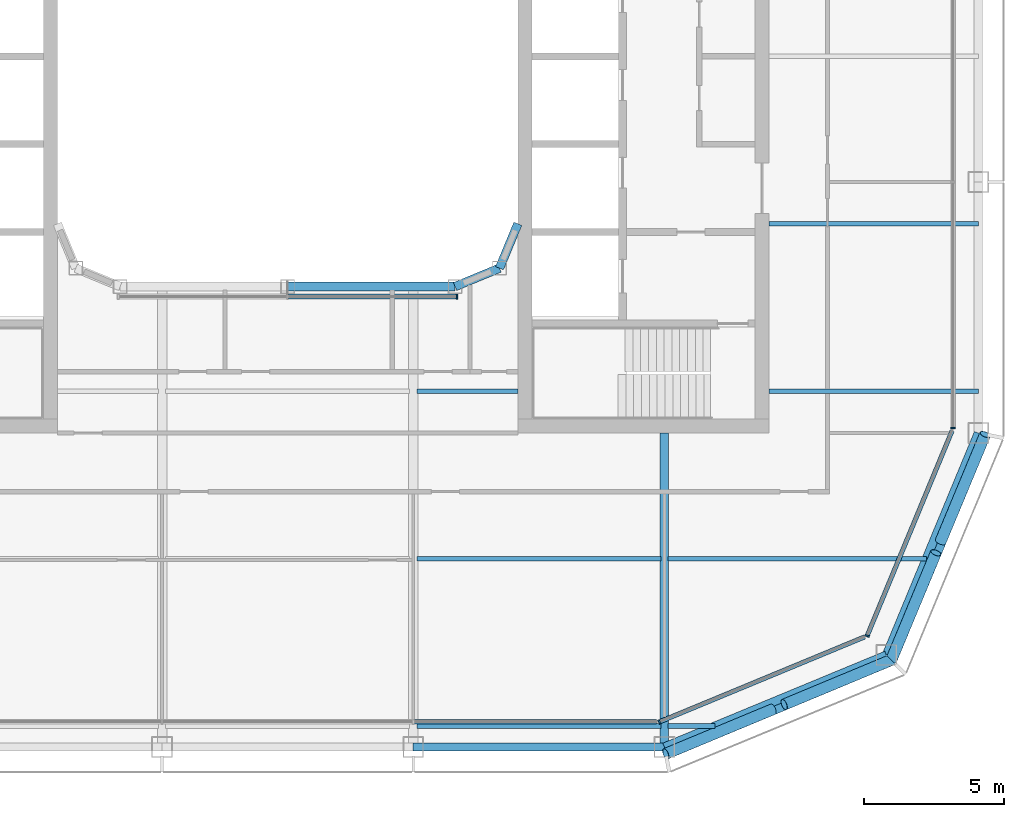
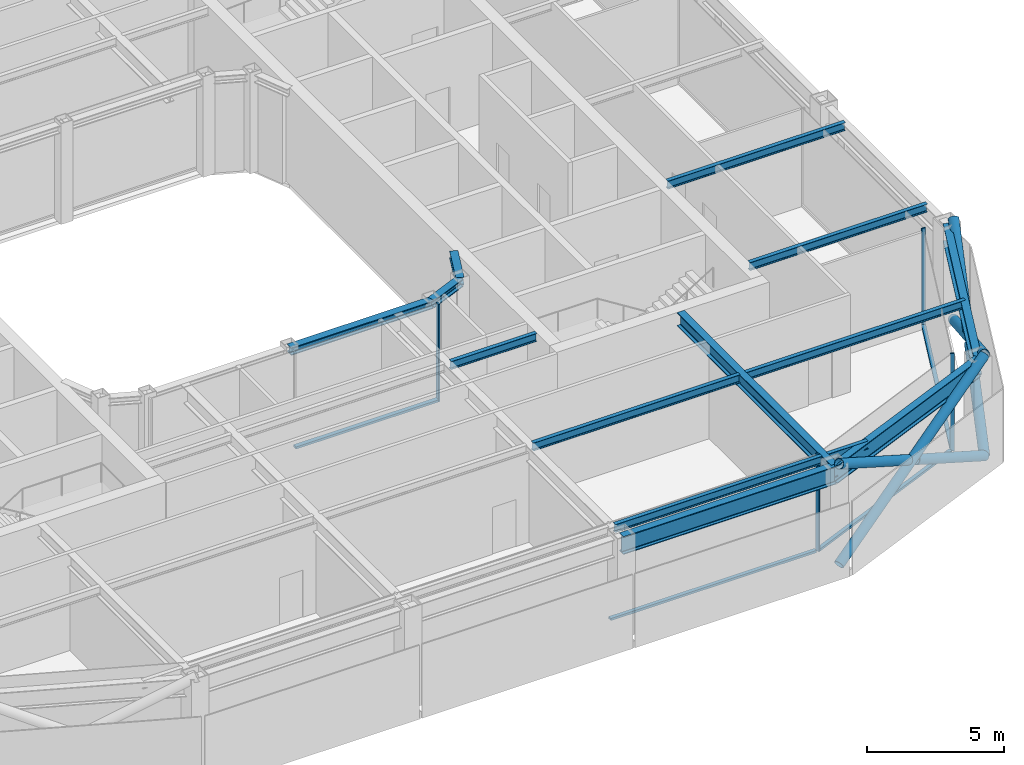
# One storey, part 4 of 21: 14 beams, 14 members, 5 elements without a shape of their own.
"""IFC4 building model written with IfcOpenShell, lengths in metres."""

from ifc_helpers import new_model, si_unit, direction, frame, origin, origin_2d, place, context, subcontext, project, spatial, rectangle, hollow_circle, i_section, extrude, material, layer, layer_set, material_profile, profile_set, type_object, element, aggregate, save


model = new_model("IFC4")

# Units and contexts
model_context = context("Model", 3, precision=1e-05, world=origin(), true_north=direction((0.0, 1.0)))
body_context = subcontext(model_context, "Body", "Model", "MODEL_VIEW")
ifc_project = project(units=[si_unit("LENGTHUNIT", "METRE"), si_unit("AREAUNIT", "SQUARE_METRE"), si_unit("VOLUMEUNIT", "CUBIC_METRE"), si_unit("PLANEANGLEUNIT", "RADIAN"), si_unit("MASSUNIT", "GRAM", prefix="KILO")], contexts=[model_context])

# Site, building, storey
site_placement = place(None, origin())
site = spatial("IfcSite", under=ifc_project, at=site_placement, CompositionType="ELEMENT")
building_placement = place(site_placement, origin())
building = spatial("IfcBuilding", under=site, at=building_placement, Name="Siwar Civic Tower", CompositionType="ELEMENT")
storey_placement = place(building_placement, frame((0.0, 0.0, 312.199951171875)))
storey = spatial("IfcBuildingStorey", under=building, at=storey_placement, Name="L67", CompositionType="ELEMENT", Elevation=312.199951171875)

# Curtain wall, member
ifc_material_1 = material(Name="Aluminium clad insulated panel", Category="aluminium")
ifc_layer_1 = layer(ifc_material_1, 0.159912109375)
ifc_layer_set_1 = layer_set([ifc_layer_1], Name="Aluminium clad insulated panel")
curtain_wall_type_1 = type_object("IfcCurtainWallType", Name="ENV-CW-DX", PredefinedType="NOTDEFINED", material=ifc_layer_set_1)
curtain_wall_1_placement = place(storey_placement, origin())
curtain_wall_1 = element("IfcCurtainWall", 1, at=curtain_wall_1_placement, inside=storey, type_object=curtain_wall_type_1, Name="Curtain wall D SE1", PredefinedType="NOTDEFINED")
ifc_material_2 = material(Name="Aluminium 6063-T6", Category="aluminium")
ifc_material_profile_1 = material_profile(ifc_material_2, rectangle(XDim=0.159912109375, YDim=0.06005859375, at=origin_2d()), Name="AL 160x60")
ifc_profile_set_1 = profile_set([ifc_material_profile_1], Name="Aluminium 6063-T6")
member_type_1 = type_object("IfcMemberType", Name="ENV-MULLION-D", PredefinedType="MULLION", material=ifc_profile_set_1)
member_1_placement = place(storey_placement, frame((13.321044921875, -23.85009765625, 0.0), z_axis=(0.0, 0.0, 1.0), x_axis=(-0.382683432365, 0.923879532511, 0.0)))
member_1 = element("IfcMember", 2, at=member_1_placement, type_object=member_type_1, Name="Mullion D SE1 1", PredefinedType="MULLION", context=body_context, shape_type="SweptSolid", body=[
    extrude(rectangle(XDim=0.159912109375, YDim=0.06005859375, at=origin_2d()), origin(), (0.0, 0.0, 1.0), 4.35009765625),
])

curtain_wall_2_placement = place(storey_placement, origin())
curtain_wall_2 = element("IfcCurtainWall", 3, at=curtain_wall_2_placement, inside=storey, type_object=curtain_wall_type_1, Name="Curtain wall D SE2", PredefinedType="NOTDEFINED")
member_2_placement = place(storey_placement, frame((20.76611328125, -20.76611328125, 0.0), z_axis=(0.0, 0.0, 1.0), x_axis=(-0.923879532511, 0.382683432365, 0.0)))
member_2 = element("IfcMember", 4, at=member_2_placement, type_object=member_type_1, Name="Mullion D SE2 1", PredefinedType="MULLION", context=body_context, shape_type="SweptSolid", body=[
    extrude(rectangle(XDim=0.159912109375, YDim=0.06005859375, at=origin_2d()), origin(), (0.0, 0.0, 1.0), 4.35009765625),
])

ifc_material_3 = material(Name="Aluminium and glass", Category="aluminium")
ifc_layer_2 = layer(ifc_material_3, 0.159912109375)
ifc_layer_set_2 = layer_set([ifc_layer_2], Name="Aluminium and glass")
curtain_wall_type_2 = type_object("IfcCurtainWallType", Name="ENV-CW-D", PredefinedType="NOTDEFINED", material=ifc_layer_set_2)
curtain_wall_3_placement = place(storey_placement, origin())
curtain_wall_3 = element("IfcCurtainWall", 5, at=curtain_wall_3_placement, inside=storey, type_object=curtain_wall_type_2, Name="Curtain wall D E", PredefinedType="NOTDEFINED")
member_3_placement = place(storey_placement, frame((23.85009765625, -13.321044921875, 0.0), z_axis=(0.0, 0.0, 1.0), x_axis=(-1.0, 0.0, 0.0)))
member_3 = element("IfcMember", 6, at=member_3_placement, type_object=member_type_1, Name="Mullion D E 1", PredefinedType="MULLION", context=body_context, shape_type="SweptSolid", body=[
    extrude(rectangle(XDim=0.159912109375, YDim=0.06005859375, at=origin_2d()), origin(), (0.0, 0.0, 1.0), 4.35009765625),
])
aggregate(curtain_wall_3, [member_3])

ifc_material_4 = material(Name="Aluminium and glass", Category="aluminium")
ifc_layer_3 = layer(ifc_material_4, 0.179931640625)
ifc_layer_set_3 = layer_set([ifc_layer_3], Name="Aluminium and glass")
curtain_wall_type_3 = type_object("IfcCurtainWallType", Name="ENV-CW-W", PredefinedType="NOTDEFINED", material=ifc_layer_set_3)
curtain_wall_4_placement = place(storey_placement, origin())
curtain_wall_4 = element("IfcCurtainWall", 7, at=curtain_wall_4_placement, inside=storey, type_object=curtain_wall_type_3, Name="Curtain wall W WS", PredefinedType="NOTDEFINED")
ifc_material_5 = material(Name="Aluminium 6063-T6", Category="aluminium")
ifc_material_profile_2 = material_profile(ifc_material_5, rectangle(XDim=0.179931640625, YDim=0.06005859375, at=origin_2d()), Name="AL 180x60")
ifc_profile_set_2 = profile_set([ifc_material_profile_2], Name="Aluminium 6063-T6")
member_type_2 = type_object("IfcMemberType", Name="ENV-MULLION-W", PredefinedType="MULLION", material=ifc_profile_set_2)
member_4_placement = place(storey_placement, frame((6.071533203125, -8.610107421875, 0.0), z_axis=(0.0, 0.0, 1.0), x_axis=(0.0, 1.0, 0.0)))
member_4 = element("IfcMember", 8, at=member_4_placement, type_object=member_type_2, Name="Mullion W WS 3", PredefinedType="MULLION", context=body_context, shape_type="SweptSolid", body=[
    extrude(rectangle(XDim=0.179931640625, YDim=0.06005859375, at=origin_2d()), origin(), (0.0, 0.0, 1.0), 4.35009765625),
])

curtain_wall_5_placement = place(storey_placement, origin())
curtain_wall_5 = element("IfcCurtainWall", 9, at=curtain_wall_5_placement, inside=storey, type_object=curtain_wall_type_2, Name="Curtain wall D S", PredefinedType="NOTDEFINED")
ifc_material_6 = material(Name="Aluminium 6063-T6", Category="aluminium")
ifc_material_profile_3 = material_profile(ifc_material_6, rectangle(XDim=0.159912109375, YDim=0.10009765625, at=origin_2d()), Name="AL 160x100")
ifc_profile_set_3 = profile_set([ifc_material_profile_3], Name="Aluminium 6063-T6")
member_type_3 = type_object("IfcMemberType", Name="ENV-TRANSOM-D", PredefinedType="USERDEFINED", material=ifc_profile_set_3)
member_5_placement = place(storey_placement, frame((4.530029296875, -23.85009765625, 0.050048828125), z_axis=(1.0, 0.0, 0.0), x_axis=(0.0, 1.0, 0.0)))
member_5 = element("IfcMember", 10, at=member_5_placement, type_object=member_type_3, Name="Transom D S 3", ObjectType="TRANSOM", PredefinedType="USERDEFINED", context=body_context, shape_type="SweptSolid", body=[
    extrude(rectangle(XDim=0.159912109375, YDim=0.10009765625, at=origin_2d()), origin(), (0.0, 0.0, 1.0), 8.693115234375),
])
aggregate(curtain_wall_5, [member_5])

# Member
member_6_placement = place(storey_placement, frame((13.3486328125, -23.838623046875, 0.050048828125), z_axis=(0.923872756612, 0.382699790424, 0.0), x_axis=(-0.382699790424, 0.923872756612, 0.0)))
member_6 = element("IfcMember", 11, at=member_6_placement, type_object=member_type_3, Name="Transom D SE1 1", ObjectType="TRANSOM", PredefinedType="USERDEFINED", context=body_context, shape_type="SweptSolid", body=[
    extrude(rectangle(XDim=0.159912109375, YDim=0.10009765625, at=origin_2d()), origin(), (0.0, 0.0, 1.0), 7.930908203125),
])

aggregate(curtain_wall_1, [member_1, member_6])

member_7_placement = place(storey_placement, frame((20.777587890625, -20.738525390625, 0.050048828125), z_axis=(0.382673515031, 0.923883640343, 0.0), x_axis=(-0.923883640343, 0.382673515031, 0.0)))
member_7 = element("IfcMember", 12, at=member_7_placement, type_object=member_type_3, Name="Transom D SE2 1", ObjectType="TRANSOM", PredefinedType="USERDEFINED", context=body_context, shape_type="SweptSolid", body=[
    extrude(rectangle(XDim=0.159912109375, YDim=0.10009765625, at=origin_2d()), origin(), (0.0, 0.0, 1.0), 7.930908203125),
])

aggregate(curtain_wall_2, [member_2, member_7])

ifc_material_7 = material(Name="Aluminium 6063-T6", Category="aluminium")
ifc_material_profile_4 = material_profile(ifc_material_7, rectangle(XDim=0.179931640625, YDim=0.10009765625, at=origin_2d()), Name="AL 180x100")
ifc_profile_set_4 = profile_set([ifc_material_profile_4], Name="Aluminium 6063-T6")
member_type_4 = type_object("IfcMemberType", Name="ENV-TRANSOM-W", PredefinedType="USERDEFINED", material=ifc_profile_set_4)
member_8_placement = place(storey_placement, frame((0.030029296875, -8.610107421875, 0.050048828125), z_axis=(1.0, 0.0, 0.0), x_axis=(0.0, 1.0, 0.0)))
member_8 = element("IfcMember", 13, at=member_8_placement, type_object=member_type_4, Name="Transom W WS 2", ObjectType="TRANSOM", PredefinedType="USERDEFINED", context=body_context, shape_type="SweptSolid", body=[
    extrude(rectangle(XDim=0.179931640625, YDim=0.10009765625, at=origin_2d()), origin(), (0.0, 0.0, 1.0), 6.011474609375),
])

aggregate(curtain_wall_4, [member_4, member_8])

# Members
ifc_material_8 = material(Name="Steel S355", Category="steel")
ifc_material_profile_5 = material_profile(ifc_material_8, hollow_circle(Radius=0.203125, WallThickness=0.01611328125, at=origin_2d()), Name="CHS406.4x16")
ifc_profile_set_5 = profile_set([ifc_material_profile_5], Name="Steel S355")
member_type_5 = type_object("IfcMemberType", Name="STR-BR-CHS406.4x16", PredefinedType="BRACE", material=ifc_profile_set_5)
member_9_placement = place(storey_placement, frame((24.9951171875, -13.548828125, 0.0), z_axis=(-0.341671493852, -0.821142553604, 0.457149315816), x_axis=(0.923264922524, -0.384163874976, 0.0)))
element("IfcMember", 14, at=member_9_placement, inside=storey, type_object=member_type_5, Name="L67/brc/DSE1-6-0-1", PredefinedType="BRACE", context=body_context, shape_type="SweptSolid", body=[
    extrude(hollow_circle(Radius=0.203125, WallThickness=0.01611328125, at=origin_2d()), origin(), (0.0, 0.0, 1.0), 9.843505859375),
])
member_10_placement = place(storey_placement, frame((21.6318359375, -21.6318359375, 0.0), z_axis=(0.341644380467, 0.821147096886, 0.457161418507), x_axis=(-0.923276488787, 0.38413607648, 0.0)))
element("IfcMember", 15, at=member_10_placement, inside=storey, type_object=member_type_5, Name="L67/brc/DSE1-6-0-2", PredefinedType="BRACE", context=body_context, shape_type="SweptSolid", body=[
    extrude(hollow_circle(Radius=0.203125, WallThickness=0.01611328125, at=origin_2d()), origin(), (0.0, 0.0, 1.0), 4.677001953125),
])
member_11_placement = place(storey_placement, frame((23.397216796875, -17.38916015625, 2.362060546875), z_axis=(0.341667178655, 0.821149689876, 0.457139722456), x_axis=(-0.923267827529, 0.384156893273, 0.0)))
element("IfcMember", 16, at=member_11_placement, inside=storey, type_object=member_type_5, Name="L67/brc/DSE1-6-0-3", PredefinedType="BRACE", context=body_context, shape_type="SweptSolid", body=[
    extrude(hollow_circle(Radius=0.203125, WallThickness=0.01611328125, at=origin_2d()), origin(), (0.0, 0.0, 1.0), 4.6767578125),
])
member_12_placement = place(storey_placement, frame((13.548828125, -24.9951171875, 0.0), z_axis=(0.821142553604, 0.341671493852, 0.457149315816), x_axis=(-0.384163874976, 0.923264922524, 0.0)))
element("IfcMember", 17, at=member_12_placement, inside=storey, type_object=member_type_5, Name="L67/brc/DSE1-6-0-0", PredefinedType="BRACE", context=body_context, shape_type="SweptSolid", body=[
    extrude(hollow_circle(Radius=0.203125, WallThickness=0.01611328125, at=origin_2d()), origin(), (0.0, 0.0, 1.0), 9.843505859375),
])
member_13_placement = place(storey_placement, frame((21.6318359375, -21.6318359375, 0.0), z_axis=(-0.821147096886, -0.341644380467, 0.457161418507), x_axis=(0.38413607648, -0.923276488787, 0.0)))
element("IfcMember", 18, at=member_13_placement, inside=storey, type_object=member_type_5, Name="L67/brc/DSE1-6-0-4", PredefinedType="BRACE", context=body_context, shape_type="SweptSolid", body=[
    extrude(hollow_circle(Radius=0.203125, WallThickness=0.01611328125, at=origin_2d()), origin(), (0.0, 0.0, 1.0), 4.677001953125),
])
member_14_placement = place(storey_placement, frame((17.38916015625, -23.397216796875, 2.362060546875), z_axis=(-0.821149689876, -0.341667178655, 0.457139722456), x_axis=(0.384156893273, -0.923267827529, 0.0)))
element("IfcMember", 19, at=member_14_placement, inside=storey, type_object=member_type_5, Name="L67/brc/DSE1-6-0-5", PredefinedType="BRACE", context=body_context, shape_type="SweptSolid", body=[
    extrude(hollow_circle(Radius=0.203125, WallThickness=0.01611328125, at=origin_2d()), origin(), (0.0, 0.0, 1.0), 4.6767578125),
])

# Beams
ifc_material_9 = material(Name="Steel S355", Category="steel")
ifc_material_profile_6 = material_profile(ifc_material_9, i_section(OverallWidth=0.169921875, OverallDepth=0.360107421875, WebThickness=0.008056640625, FlangeThickness=0.0126953125, FilletRadius=0.01806640625, at=origin_2d()), Name="IPE360")
ifc_profile_set_6 = profile_set([ifc_material_profile_6], Name="Steel S355")
beam_type_1 = type_object("IfcBeamType", Name="STR-FB-IPE360", PredefinedType="JOIST", material=ifc_profile_set_6)
beam_1_placement = place(storey_placement, frame((4.6298828125, -24.0, 4.170166015625), z_axis=(1.0, 0.0, 0.0), x_axis=(0.0, 1.0, 0.0)))
element("IfcBeam", 20, at=beam_1_placement, inside=storey, type_object=beam_type_1, Name="L67/bm/F004", PredefinedType="JOIST", context=body_context, shape_type="SweptSolid", body=[
    extrude(i_section(OverallWidth=0.169921875, OverallDepth=0.360107421875, WebThickness=0.008056640625, FlangeThickness=0.0126953125, FilletRadius=0.01806640625, at=origin_2d()), origin(), (0.0, 0.0, 1.0), 8.740234375),
])
beam_2_placement = place(storey_placement, frame((13.6298828125, -24.0, 4.170166015625), z_axis=(1.0, 0.0, 0.0), x_axis=(0.0, 1.0, 0.0)))
element("IfcBeam", 21, at=beam_2_placement, inside=storey, type_object=beam_type_1, Name="L67/bm/F005", PredefinedType="JOIST", context=body_context, shape_type="SweptSolid", body=[
    extrude(i_section(OverallWidth=0.169921875, OverallDepth=0.360107421875, WebThickness=0.008056640625, FlangeThickness=0.0126953125, FilletRadius=0.01806640625, at=origin_2d()), origin(), (0.0, 0.0, 1.0), 1.6806640625),
])
beam_3_placement = place(storey_placement, frame((4.6298828125, -18.0, 4.170166015625), z_axis=(1.0, 0.0, 0.0), x_axis=(0.0, 1.0, 0.0)))
element("IfcBeam", 22, at=beam_3_placement, inside=storey, type_object=beam_type_1, Name="L67/bm/F009", PredefinedType="JOIST", context=body_context, shape_type="SweptSolid", body=[
    extrude(i_section(OverallWidth=0.169921875, OverallDepth=0.360107421875, WebThickness=0.008056640625, FlangeThickness=0.0126953125, FilletRadius=0.01806640625, at=origin_2d()), origin(), (0.0, 0.0, 1.0), 8.740234375),
])
beam_4_placement = place(storey_placement, frame((13.6298828125, -18.0, 4.170166015625), z_axis=(1.0, 0.0, 0.0), x_axis=(0.0, 1.0, 0.0)))
element("IfcBeam", 23, at=beam_4_placement, inside=storey, type_object=beam_type_1, Name="L67/bm/F010", PredefinedType="JOIST", context=body_context, shape_type="SweptSolid", body=[
    extrude(i_section(OverallWidth=0.169921875, OverallDepth=0.360107421875, WebThickness=0.008056640625, FlangeThickness=0.0126953125, FilletRadius=0.01806640625, at=origin_2d()), origin(), (0.0, 0.0, 1.0), 9.256103515625),
])
beam_5_placement = place(storey_placement, frame((4.6298828125, -12.0, 4.170166015625), z_axis=(1.0, 0.0, 0.0), x_axis=(0.0, 1.0, 0.0)))
element("IfcBeam", 24, at=beam_5_placement, inside=storey, type_object=beam_type_1, Name="L67/bm/F014", PredefinedType="JOIST", context=body_context, shape_type="SweptSolid", body=[
    extrude(i_section(OverallWidth=0.169921875, OverallDepth=0.360107421875, WebThickness=0.008056640625, FlangeThickness=0.0126953125, FilletRadius=0.01806640625, at=origin_2d()), origin(), (0.0, 0.0, 1.0), 3.6201171875),
])
for number, where, z_axis, x_axis, name in (
    (25, (17.25, -12.0, 4.170166015625), (1.0, 0.0, 0.0), (0.0, 1.0, 0.0), "L67/bm/F015"),
    (26, (17.25, -6.0, 4.170166015625), (1.0, 0.0, 0.0), (0.0, 1.0, 0.0), "L67/bm/F017"),
):
    element("IfcBeam", number, at=place(storey_placement, frame(where, z_axis=z_axis, x_axis=x_axis)), inside=storey, type_object=beam_type_1, Name=name, PredefinedType="JOIST", context=body_context, shape_type="SweptSolid", body=[
        extrude(i_section(OverallWidth=0.169921875, OverallDepth=0.360107421875, WebThickness=0.008056640625, FlangeThickness=0.0126953125, FilletRadius=0.01806640625, at=origin_2d()), origin(), (0.0, 0.0, 1.0), 7.5),
    ])
ifc_material_10 = material(Name="Steel S355", Category="steel")
ifc_material_profile_7 = material_profile(ifc_material_10, i_section(OverallWidth=0.300048828125, OverallDepth=0.60009765625, WebThickness=0.015380859375, FlangeThickness=0.030029296875, FilletRadius=0.027099609375, at=origin_2d()), Name="HEB600")
ifc_profile_set_7 = profile_set([ifc_material_profile_7], Name="Steel S355")
beam_type_2 = type_object("IfcBeamType", Name="STR-PG-HEB600", PredefinedType="BEAM", material=ifc_profile_set_7)
beam_6_placement = place(storey_placement, frame((13.5, -24.75, 4.050048828125), z_axis=(0.0, 1.0, 0.0), x_axis=(-1.0, 0.0, 0.0)))
element("IfcBeam", 27, at=beam_6_placement, inside=storey, type_object=beam_type_2, Name="L67/bm/G07", PredefinedType="BEAM", context=body_context, shape_type="SweptSolid", body=[
    extrude(i_section(OverallWidth=0.300048828125, OverallDepth=0.60009765625, WebThickness=0.015380859375, FlangeThickness=0.030029296875, FilletRadius=0.027099609375, at=origin_2d()), origin(), (0.0, 0.0, 1.0), 11.25),
])
ifc_material_11 = material(Name="Steel S355", Category="steel")
ifc_material_profile_8 = material_profile(ifc_material_11, i_section(OverallWidth=0.31005859375, OverallDepth=0.340087890625, WebThickness=0.02099609375, FlangeThickness=0.0390625, FilletRadius=0.027099609375, at=origin_2d()), Name="HEM300")
ifc_profile_set_8 = profile_set([ifc_material_profile_8], Name="Steel S355")
beam_type_3 = type_object("IfcBeamType", Name="STR-RB-HEM300", PredefinedType="BEAM", material=ifc_profile_set_8)
beam_7_placement = place(storey_placement, frame((0.0, -8.25, 4.179931640625), z_axis=(1.0, 0.0, 0.0), x_axis=(0.0, 1.0, 0.0)))
element("IfcBeam", 28, at=beam_7_placement, inside=storey, type_object=beam_type_3, Name="L67/bm/RS2", PredefinedType="BEAM", context=body_context, shape_type="SweptSolid", body=[
    extrude(i_section(OverallWidth=0.31005859375, OverallDepth=0.340087890625, WebThickness=0.02099609375, FlangeThickness=0.0390625, FilletRadius=0.027099609375, at=origin_2d()), origin(), (0.0, 0.0, 1.0), 6.0),
])
for number, where, z_axis, x_axis, name in (
    (29, (6.0, -8.25, 4.179931640625), (0.923901072997, 0.382631424892, 0.0), (-0.382631424892, 0.923901072997, 0.0), "L67/bm/RS3"),
    (30, (7.591064453125, -7.591064453125, 4.179931640625), (0.382631424892, 0.923901072997, 0.0), (-0.923901072997, 0.382631424892, 0.0), "L67/bm/RSEE"),
):
    element("IfcBeam", number, at=place(storey_placement, frame(where, z_axis=z_axis, x_axis=x_axis)), inside=storey, type_object=beam_type_3, Name=name, PredefinedType="BEAM", context=body_context, shape_type="SweptSolid", body=[
        extrude(i_section(OverallWidth=0.31005859375, OverallDepth=0.340087890625, WebThickness=0.02099609375, FlangeThickness=0.0390625, FilletRadius=0.027099609375, at=origin_2d()), origin(), (0.0, 0.0, 1.0), 1.72216796875),
    ])
ifc_material_12 = material(Name="Steel S355", Category="steel")
ifc_material_profile_9 = material_profile(ifc_material_12, i_section(OverallWidth=0.300048828125, OverallDepth=0.800048828125, WebThickness=0.017578125, FlangeThickness=0.032958984375, FilletRadius=0.030029296875, at=origin_2d()), Name="HEB800")
ifc_profile_set_9 = profile_set([ifc_material_profile_9], Name="Steel S355")
beam_type_4 = type_object("IfcBeamType", Name="STR-SB-HEB800", PredefinedType="BEAM", material=ifc_profile_set_9)
beam_8_placement = place(storey_placement, frame((4.5, -24.75, 3.949951171875), z_axis=(1.0, 0.0, 0.0), x_axis=(0.0, 1.0, 0.0)))
element("IfcBeam", 31, at=beam_8_placement, inside=storey, type_object=beam_type_4, Name="L67/bm/SS-2", PredefinedType="BEAM", context=body_context, shape_type="SweptSolid", body=[
    extrude(i_section(OverallWidth=0.300048828125, OverallDepth=0.800048828125, WebThickness=0.017578125, FlangeThickness=0.032958984375, FilletRadius=0.030029296875, at=origin_2d()), origin(), (0.0, 0.0, 1.0), 9.0),
])
for number, where, z_axis, x_axis, name in (
    (32, (13.5, -24.75, 3.949951171875), (0.923872720536, 0.382699877515, 0.0), (-0.382699877515, 0.923872720536, 0.0), "L67/bm/SSE1-0"),
    (33, (21.454833984375, -21.454833984375, 3.949951171875), (0.382699877515, 0.923872720536, 0.0), (-0.923872720536, 0.382699877515, 0.0), "L67/bm/SSE2-0"),
):
    element("IfcBeam", number, at=place(storey_placement, frame(where, z_axis=z_axis, x_axis=x_axis)), inside=storey, type_object=beam_type_4, Name=name, PredefinedType="BEAM", context=body_context, shape_type="SweptSolid", body=[
        extrude(i_section(OverallWidth=0.300048828125, OverallDepth=0.800048828125, WebThickness=0.017578125, FlangeThickness=0.032958984375, FilletRadius=0.030029296875, at=origin_2d()), origin(), (0.0, 0.0, 1.0), 8.6103515625),
    ])

save(model, "model.ifc")
